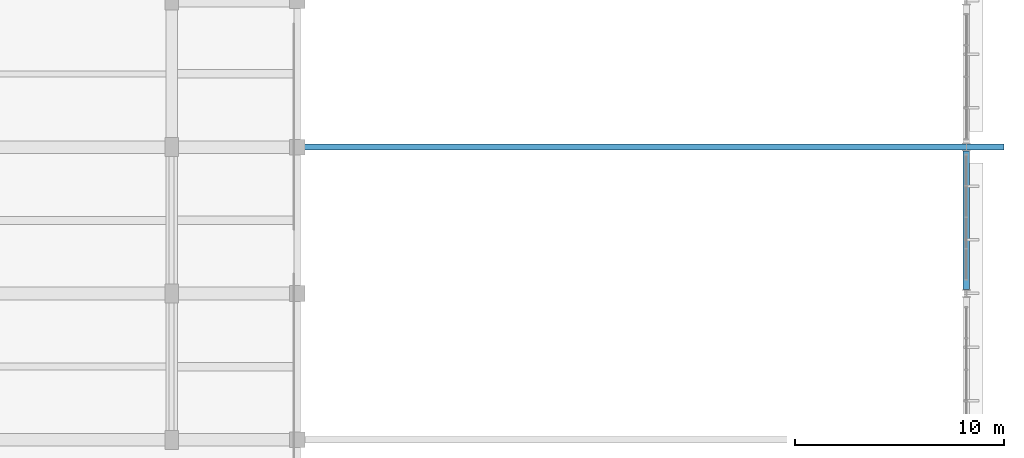
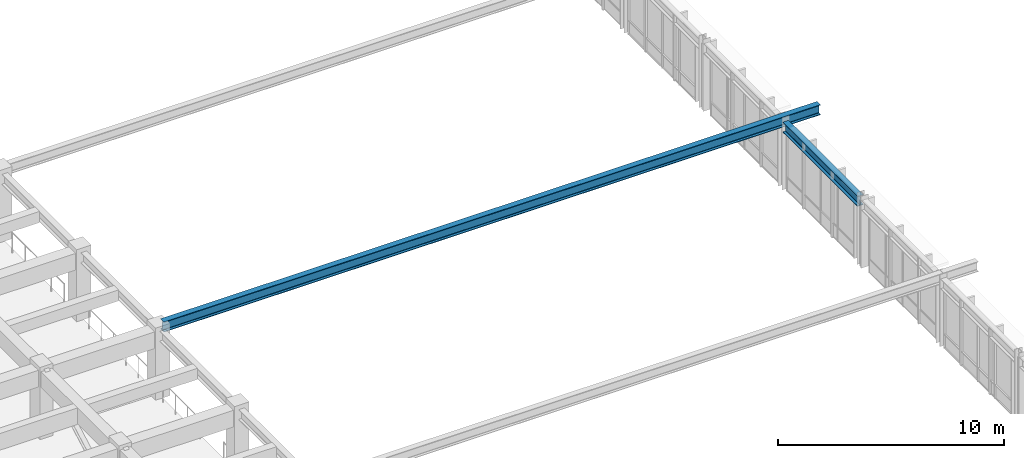
# One storey, part 36 of 98: 2 beams.
"""IFC4 building model written with IfcOpenShell, lengths in metres."""

from ifc_helpers import new_model, si_unit, direction, frame, origin, origin_2d, place, context, subcontext, project, spatial, i_section, extrude, material, material_profile, profile_set, type_object, element, save


model = new_model("IFC4")

# Units and contexts
model_context = context("Model", 3, precision=1e-05, world=origin(), true_north=direction((0.0, 1.0)))
body_context = subcontext(model_context, "Body", "Model", "MODEL_VIEW")
ifc_project = project(units=[si_unit("LENGTHUNIT", "METRE"), si_unit("AREAUNIT", "SQUARE_METRE"), si_unit("VOLUMEUNIT", "CUBIC_METRE"), si_unit("PLANEANGLEUNIT", "RADIAN"), si_unit("MASSUNIT", "GRAM", prefix="KILO")], contexts=[model_context])

# Site, building, storey
site_placement = place(None, origin())
site = spatial("IfcSite", under=ifc_project, at=site_placement, CompositionType="ELEMENT")
building_placement = place(site_placement, origin())
building = spatial("IfcBuilding", under=site, at=building_placement, Name="Larkveld Mobility Hub", CompositionType="ELEMENT")
storey_placement = place(building_placement, frame((0.0, 0.0, 4.5)))
storey = spatial("IfcBuildingStorey", under=building, at=storey_placement, Name="L01", CompositionType="ELEMENT", Elevation=4.5)

# Beams
ifc_material = material(Name="Steel S355JR", Category="steel")
ifc_material_profile = material_profile(ifc_material, i_section(OverallWidth=0.300048828125, OverallDepth=0.550048828125, WebThickness=0.014892578125, FlangeThickness=0.029052734375, FilletRadius=0.027099609375, at=origin_2d()), Name="HEB 550")
ifc_profile_set = profile_set([ifc_material_profile], Name="Steel S355JR")
beam_type = type_object("IfcBeamType", Name="BM-STHEB550", PredefinedType="BEAM", material=ifc_profile_set)
beam_1_placement = place(storey_placement, frame((184.0, 77.18408203125, 3.385009765625), z_axis=(0.0, 1.0, 0.0), x_axis=(-1.0, 0.0, 0.0)))
element("IfcBeam", 1, at=beam_1_placement, inside=storey, type_object=beam_type, Name="Primary N-S Girder L01-0477", PredefinedType="BEAM", context=body_context, shape_type="SweptSolid", body=[
    extrude(i_section(OverallWidth=0.300048828125, OverallDepth=0.550048828125, WebThickness=0.014892578125, FlangeThickness=0.029052734375, FilletRadius=0.027099609375, at=origin_2d()), origin(), (0.0, 0.0, 1.0), 6.6318359375),
])
beam_2_placement = place(storey_placement, frame((152.18994140625, 84.0, 3.625), z_axis=(1.0, 0.0, 0.0), x_axis=(0.0, 1.0, 0.0)))
element("IfcBeam", 2, at=beam_2_placement, inside=storey, type_object=beam_type, Name="Sawtooth Valley Tie Girder T5 L01-1740", PredefinedType="BEAM", context=body_context, shape_type="SweptSolid", body=[
    extrude(i_section(OverallWidth=0.300048828125, OverallDepth=0.550048828125, WebThickness=0.014892578125, FlangeThickness=0.029052734375, FilletRadius=0.027099609375, at=origin_2d()), origin(), (0.0, 0.0, 1.0), 33.610107421875),
])

save(model, "model.ifc")
